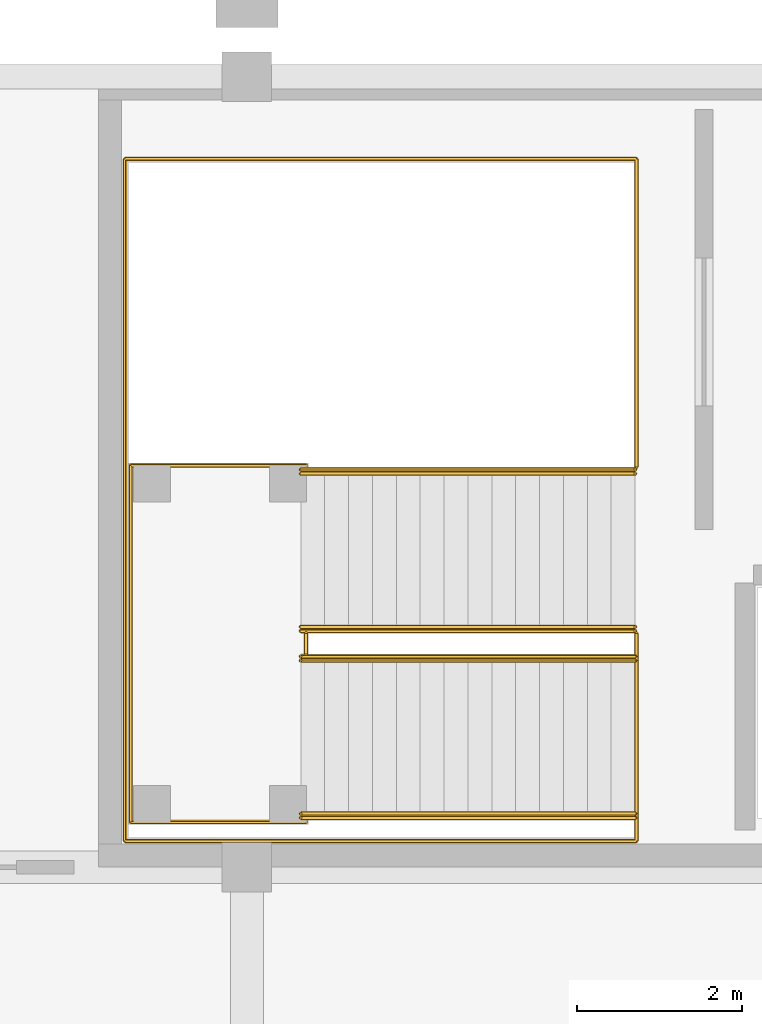
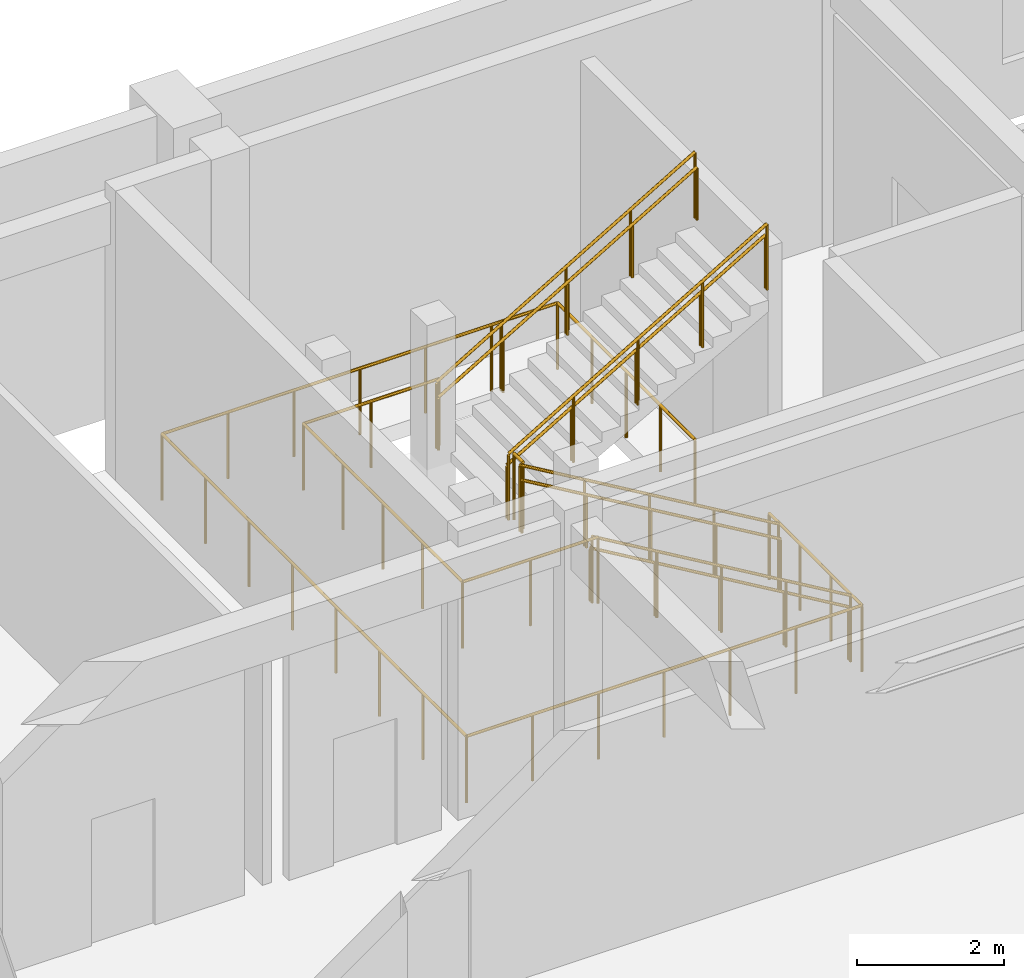
# One storey, part 69 of 74: 11 railings.
"""IFC4 building model written with IfcOpenShell, lengths in metres."""

import ifcopenshell
import ifcopenshell.guid

model = None  # the IFC model being written
_history = None  # IfcOwnerHistory: only IFC2X3 demands one
_inside = {}  # id of a spatial element -> (the spatial element, [elements in it])
_under = {}  # id of a project, library or spatial element -> (it, [spatial elements below it])
_declared = {}  # id of a project -> (the project, [libraries it declares])
_typed = {}  # id of a type object -> (the type object, [elements of that type])
_made_of = {}  # id of a material, layer set ... -> (it, [elements and type objects made of it])


def new_model(schema):
    """Start an empty IFC model of exactly this schema.

    Asked for "IFC4X3", IfcOpenShell would pick the latest addendum, in which some entities
    have other attributes; the version numbers below select the first issue.
    IFC2X3 requires an IfcOwnerHistory on every rooted entity: one is made here for all.
    """
    global model, _history
    if schema == "IFC4X3":
        model = ifcopenshell.file(schema_version=(4, 3, 0, 0))
    else:
        model = ifcopenshell.file(schema=schema)
    _inside.clear()
    _under.clear()
    _declared.clear()
    _typed.clear()
    _made_of.clear()
    _history = None
    if model.schema == "IFC2X3":
        org = make("IfcOrganization", Name="unknown")
        user = make(
            "IfcPersonAndOrganization",
            ThePerson=make("IfcPerson", FamilyName="unknown"),
            TheOrganization=org,
        )
        app = make(
            "IfcApplication",
            ApplicationDeveloper=org,
            Version="unknown",
            ApplicationFullName="unknown",
            ApplicationIdentifier="unknown",
        )
        _history = make(
            "IfcOwnerHistory",
            OwningUser=user,
            OwningApplication=app,
            ChangeAction="ADDED",
            CreationDate=0,
        )
    return model


def make(cls, **values):
    """One entity of the class cls with the attributes given. An attribute that is None is left unset."""
    return model.create_entity(
        cls, **{name: value for name, value in values.items() if value is not None}
    )


def rooted(cls, **values):
    """An entity with a GlobalId (a new one), such as an element, a storey or a relation."""
    return make(cls, GlobalId=ifcopenshell.guid.new(), OwnerHistory=_history, **values)


def si_unit(unit_type, name, prefix=None):
    """IfcSIUnit, for example si_unit("LENGTHUNIT", "METRE", prefix="MILLI")."""
    return make("IfcSIUnit", UnitType=unit_type, Prefix=prefix, Name=name)


def assignment(units):
    """IfcUnitAssignment: the units of a project."""
    return None if units is None else make("IfcUnitAssignment", Units=units)


def point(xyz):
    """IfcCartesianPoint."""
    return None if xyz is None else make("IfcCartesianPoint", Coordinates=xyz)


def direction(xyz):
    """IfcDirection."""
    return None if xyz is None else make("IfcDirection", DirectionRatios=xyz)


def frame(location, z_axis=None, x_axis=None):
    """IfcAxis2Placement3D, a coordinate frame: its origin and axes. An axis left out is left unset."""
    return make(
        "IfcAxis2Placement3D",
        Location=point(location),
        Axis=direction(z_axis),
        RefDirection=direction(x_axis),
    )


def frame_2d(location, x_axis=None):
    """IfcAxis2Placement2D, a coordinate frame in the plane: its origin and x axis."""
    return make(
        "IfcAxis2Placement2D", Location=point(location), RefDirection=direction(x_axis)
    )


def origin():
    """The frame at (0, 0, 0) with its axes left unset."""
    return frame((0.0, 0.0, 0.0))


def origin_2d():
    """The frame at (0, 0) in the plane with its x axis left unset."""
    return frame_2d((0.0, 0.0))


def place(relative_to, where):
    """IfcLocalPlacement: puts the frame where relative to a parent placement (None: the world)."""
    return make(
        "IfcLocalPlacement", PlacementRelTo=relative_to, RelativePlacement=where
    )


def context(
    kind, dimensions, precision=None, world=None, true_north=None, identifier=None
):
    """IfcGeometricRepresentationContext, for example the 3D "Model" context."""
    return make(
        "IfcGeometricRepresentationContext",
        ContextIdentifier=identifier,
        ContextType=kind,
        CoordinateSpaceDimension=dimensions,
        Precision=precision,
        WorldCoordinateSystem=world,
        TrueNorth=true_north,
    )


def subcontext(parent, identifier, kind, view, scale=None):
    """IfcGeometricRepresentationSubContext, for example "Body" below "Model"."""
    return make(
        "IfcGeometricRepresentationSubContext",
        ContextIdentifier=identifier,
        ContextType=kind,
        ParentContext=parent,
        TargetScale=scale,
        TargetView=view,
    )


def project(units=None, contexts=None):
    """IfcProject with its units and contexts."""
    return rooted(
        "IfcProject",
        Name="project",
        RepresentationContexts=contexts,
        UnitsInContext=assignment(units),
    )


def spatial(cls, under=None, at=None, **own):
    """A site, building, storey or space (cls), placed at a placement, below another one or the project."""
    s = rooted(cls, ObjectPlacement=at, **own)
    if under is not None:
        _under.setdefault(under.id(), (under, []))[1].append(s)
    return s


def profile(cls, at=None, kind="AREA", **sizes):
    """A parametric profile (cls). Its sizes go by their IFC names, for example OverallWidth=200.0."""
    return make(cls, ProfileType=kind, Position=at, **sizes)


def circle(**sizes):
    """IfcCircleProfileDef."""
    return profile("IfcCircleProfileDef", **sizes)


def extrude(swept, where, along, depth):
    """IfcExtrudedAreaSolid: the profile swept, set in the frame where, extruded along a direction by depth."""
    return make(
        "IfcExtrudedAreaSolid",
        SweptArea=swept,
        Position=where,
        ExtrudedDirection=direction(along),
        Depth=depth,
    )


def shape(context_of_items, identifier, shape_type, items):
    """IfcShapeRepresentation: the items that make up one representation, for example the "Body"."""
    return make(
        "IfcShapeRepresentation",
        ContextOfItems=context_of_items,
        RepresentationIdentifier=identifier,
        RepresentationType=shape_type,
        Items=items,
    )


def material(Name=None, Category=None):
    """IfcMaterial."""
    return make("IfcMaterial", Name=Name, Category=Category)


def made_of(thing, what):
    """Note that an element or type object is made of a material, layer set ...; save() writes the relation."""
    if what is not None:
        _made_of.setdefault(what.id(), (what, []))[1].append(thing)
    return thing


def type_object(cls, material=None, **own):
    """A type object (cls), such as IfcWallType, which elements share."""
    return made_of(rooted(cls, **own), material)


def element(
    cls,
    number,
    at=None,
    inside=None,
    cuts=None,
    type_object=None,
    material=None,
    context=None,
    identifier="Body",
    shape_type=None,
    held_by="IfcProductDefinitionShape",
    body=None,
    shapes=None,
    **own,
):
    """One element of the class cls, such as IfcWall. Its Tag is "e" and its number.

    at: its placement. inside: the storey or other place that contains it. cuts: it is an
    opening in that element (IfcRelVoidsElement). A single representation is given by context,
    identifier, shape_type and body (its items); several are given by shapes. held_by: the class
    of the entity that holds the representations. save() writes the other relations.
    """
    e = rooted(cls, Tag="e%d" % number, ObjectPlacement=at, **own)
    if body is not None:
        shapes = [shape(context, identifier, shape_type, body)]
    if shapes is not None:
        e.Representation = make(held_by, Representations=shapes)
    if inside is not None:
        _inside.setdefault(inside.id(), (inside, []))[1].append(e)
    if cuts is not None:
        rooted(
            "IfcRelVoidsElement", RelatingBuildingElement=cuts, RelatedOpeningElement=e
        )
    if type_object is not None:
        _typed.setdefault(type_object.id(), (type_object, []))[1].append(e)
    return made_of(e, material)


def aggregate(whole, parts):
    """IfcRelAggregates: a whole, such as a stair, and the parts it consists of."""
    return rooted("IfcRelAggregates", RelatingObject=whole, RelatedObjects=parts)


def save(model, path):
    """Write the relations noted so far, then the file.

    IfcRelAggregates (storeys below a building ...), IfcRelContainedInSpatialStructure (elements
    in a storey), IfcRelDefinesByType, IfcRelAssociatesMaterial and IfcRelDeclares: one each for
    every whole, place, type object, material and project.
    """
    for whole, parts in _under.values():
        aggregate(whole, parts)
    for where, things in _inside.values():
        rooted(
            "IfcRelContainedInSpatialStructure",
            RelatedElements=things,
            RelatingStructure=where,
        )
    for kind, things in _typed.values():
        rooted("IfcRelDefinesByType", RelatedObjects=things, RelatingType=kind)
    for what, things in _made_of.values():
        rooted("IfcRelAssociatesMaterial", RelatedObjects=things, RelatingMaterial=what)
    for by, libraries in _declared.values():
        rooted("IfcRelDeclares", RelatingContext=by, RelatedDefinitions=libraries)
    model.write(path)


model = new_model("IFC4")

# Units and contexts
model_context = context("Model", 3, precision=1e-05, world=origin(), true_north=direction((0.0, 1.0)))
body_context = subcontext(model_context, "Body", "Model", "MODEL_VIEW")
ifc_project = project(units=[si_unit("LENGTHUNIT", "METRE"), si_unit("AREAUNIT", "SQUARE_METRE"), si_unit("VOLUMEUNIT", "CUBIC_METRE"), si_unit("PLANEANGLEUNIT", "RADIAN"), si_unit("MASSUNIT", "GRAM", prefix="KILO")], contexts=[model_context])

# Site, building, storey
site_placement = place(None, origin())
site = spatial("IfcSite", under=ifc_project, at=site_placement, CompositionType="ELEMENT")
building_placement = place(site_placement, origin())
building = spatial("IfcBuilding", under=site, at=building_placement, Name="Suirenkawa Promenade Aquatics Centre", CompositionType="ELEMENT")
storey_placement = place(building_placement, frame((0.0, 0.0, 4.800048828125)))
storey = spatial("IfcBuildingStorey", under=building, at=storey_placement, Name="L01", CompositionType="ELEMENT", Elevation=4.800048828125)

# Railings
ifc_material = material(Name="Marine-grade stainless steel Grade 316L", Category="steel")
railing_type_1 = type_object("IfcRailingType", Name="RLT-GUARD-1120", PredefinedType="GUARDRAIL", material=ifc_material)
for number, where, name in (
    (1, (170.31494140625, 42.159912109375, 0.0), "Guardrail GRD-01 RL-0191"),
    (2, (170.31494140625, 40.199951171875, 0.0), "Guardrail GRD-01 RL-0193"),
):
    element("IfcRailing", number, at=place(storey_placement, frame(where)), inside=storey, type_object=railing_type_1, Name=name, PredefinedType="GUARDRAIL", context=body_context, shape_type="SweptSolid", body=[
        extrude(circle(Radius=0.02392578125, at=origin_2d()), frame((0.0, 0.0, 1.09619140625), z_axis=(-0.8608543813, 0.0, 0.508851387142), x_axis=(0.0, -1.0, 0.0)), (0.0, 0.0, 1.0), 4.71630859375),
        extrude(circle(Radius=0.02099609375, at=origin_2d()), origin(), (0.0, 0.0, 1.0), 1.072021484375),
        extrude(circle(Radius=0.02099609375, at=origin_2d()), frame((-1.01513671875, 0.0, 0.60009765625)), (0.0, 0.0, 1.0), 1.072021484375),
        extrude(circle(Radius=0.02099609375, at=origin_2d()), frame((-2.030029296875, 0.0, 1.199951171875)), (0.0, 0.0, 1.0), 1.072021484375),
        extrude(circle(Radius=0.02099609375, at=origin_2d()), frame((-3.044921875, 0.0, 1.7998046875)), (0.0, 0.0, 1.0), 1.072021484375),
        extrude(circle(Radius=0.02099609375, at=origin_2d()), frame((-4.06005859375, 0.0, 2.39990234375)), (0.0, 0.0, 1.0), 1.072021484375),
    ])
for number, where, name in (
    (3, (166.2548828125, 42.469970703125, 2.39990234375), "Guardrail GRD-01 RL-0195"),
    (4, (166.2548828125, 44.429931640625, 2.39990234375), "Guardrail GRD-01 RL-0197"),
):
    element("IfcRailing", number, at=place(storey_placement, frame(where)), inside=storey, type_object=railing_type_1, Name=name, PredefinedType="GUARDRAIL", context=body_context, shape_type="SweptSolid", body=[
        extrude(circle(Radius=0.02392578125, at=origin_2d()), frame((0.0, 0.0, 1.09619140625), z_axis=(0.860831705478, 0.0, 0.508889747237), x_axis=(0.0, 1.0, 0.0)), (0.0, 0.0, 1.0), 4.716552734375),
        extrude(circle(Radius=0.02099609375, at=origin_2d()), origin(), (0.0, 0.0, 1.0), 1.072021484375),
        extrude(circle(Radius=0.02099609375, at=origin_2d()), frame((1.01513671875, 0.0, 0.60009765625)), (0.0, 0.0, 1.0), 1.072021484375),
        extrude(circle(Radius=0.02099609375, at=origin_2d()), frame((2.030029296875, 0.0, 1.2001953125)), (0.0, 0.0, 1.0), 1.072021484375),
        extrude(circle(Radius=0.02099609375, at=origin_2d()), frame((3.044921875, 0.0, 1.800048828125)), (0.0, 0.0, 1.0), 1.072021484375),
        extrude(circle(Radius=0.02099609375, at=origin_2d()), frame((4.06005859375, 0.0, 2.400146484375)), (0.0, 0.0, 1.0), 1.072021484375),
    ])
railing_1_placement = place(storey_placement, frame((166.320068359375, 40.14990234375, 2.39990234375)))
element("IfcRailing", 5, at=railing_1_placement, inside=storey, type_object=railing_type_1, Name="Guardrail GRD-01 RL-0199", PredefinedType="GUARDRAIL", context=body_context, shape_type="SweptSolid", body=[
    extrude(circle(Radius=0.02392578125, at=origin_2d()), frame((0.0, 0.0, 1.09619140625), z_axis=(-1.0, 0.0, 0.0), x_axis=(0.0, -1.0, 0.0)), (0.0, 0.0, 1.0), 2.130126953125),
    extrude(circle(Radius=0.02392578125, at=origin_2d()), frame((-2.130126953125, 0.0, 1.09619140625), z_axis=(0.0, 1.0, 0.0), x_axis=(-1.0, 0.0, 0.0)), (0.0, 0.0, 1.0), 4.330078125),
    extrude(circle(Radius=0.02392578125, at=origin_2d()), frame((-2.130126953125, 4.330078125, 1.09619140625), z_axis=(1.0, 0.0, 0.0), x_axis=(0.0, 1.0, 0.0)), (0.0, 0.0, 1.0), 2.130126953125),
    extrude(circle(Radius=0.02099609375, at=origin_2d()), origin(), (0.0, 0.0, 1.0), 1.072021484375),
    extrude(circle(Radius=0.02099609375, at=origin_2d()), frame((-1.06494140625, 0.0, 0.0)), (0.0, 0.0, 1.0), 1.072021484375),
    extrude(circle(Radius=0.02099609375, at=origin_2d()), frame((-2.130126953125, 0.0, 0.0)), (0.0, 0.0, 1.0), 1.072021484375),
    extrude(circle(Radius=0.02099609375, at=origin_2d()), frame((-2.130126953125, 1.08251953125, 0.0)), (0.0, 0.0, 1.0), 1.072021484375),
    extrude(circle(Radius=0.02099609375, at=origin_2d()), frame((-2.130126953125, 2.1650390625, 0.0)), (0.0, 0.0, 1.0), 1.072021484375),
    extrude(circle(Radius=0.02099609375, at=origin_2d()), frame((-2.130126953125, 3.24755859375, 0.0)), (0.0, 0.0, 1.0), 1.072021484375),
    extrude(circle(Radius=0.02099609375, at=origin_2d()), frame((-2.130126953125, 4.330078125, 0.0)), (0.0, 0.0, 1.0), 1.072021484375),
    extrude(circle(Radius=0.02099609375, at=origin_2d()), frame((-1.06494140625, 4.330078125, 0.0)), (0.0, 0.0, 1.0), 1.072021484375),
    extrude(circle(Radius=0.02099609375, at=origin_2d()), frame((0.0, 4.330078125, 0.0)), (0.0, 0.0, 1.0), 1.072021484375),
])
railing_2_placement = place(storey_placement, frame((166.320068359375, 42.18994140625, 2.39990234375)))
element("IfcRailing", 6, at=railing_2_placement, inside=storey, type_object=railing_type_1, Name="Guardrail GRD-01 RL-0200", PredefinedType="GUARDRAIL", context=body_context, shape_type="SweptSolid", body=[
    extrude(circle(Radius=0.02392578125, at=origin_2d()), frame((0.0, 0.0, 1.09619140625), z_axis=(0.0, 1.0, 0.0), x_axis=(-1.0, 0.0, 0.0)), (0.0, 0.0, 1.0), 0.25),
    extrude(circle(Radius=0.02099609375, at=origin_2d()), origin(), (0.0, 0.0, 1.0), 1.072021484375),
    extrude(circle(Radius=0.02099609375, at=origin_2d()), frame((0.0, 0.25, 0.0)), (0.0, 0.0, 1.0), 1.072021484375),
])
railing_3_placement = place(storey_placement, frame((170.330078125, 44.4599609375, 0.0)))
element("IfcRailing", 7, at=railing_3_placement, inside=storey, type_object=railing_type_1, Name="Guardrail GRD-01 RL-0420", PredefinedType="GUARDRAIL", context=body_context, shape_type="SweptSolid", body=[
    extrude(circle(Radius=0.02392578125, at=origin_2d()), frame((0.0, 0.0, 1.09619140625), z_axis=(0.0, 1.0, 0.0), x_axis=(-1.0, 0.0, 0.0)), (0.0, 0.0, 1.0), 3.739990234375),
    extrude(circle(Radius=0.02392578125, at=origin_2d()), frame((0.0, 3.739990234375, 1.09619140625), z_axis=(-1.0, 0.0, 0.0), x_axis=(0.0, -1.0, 0.0)), (0.0, 0.0, 1.0), 6.2099609375),
    extrude(circle(Radius=0.02392578125, at=origin_2d()), frame((-6.2099609375, 3.739990234375, 1.09619140625), z_axis=(0.0, -1.0, 0.0), x_axis=(1.0, 0.0, 0.0)), (0.0, 0.0, 1.0), 8.280029296875),
    extrude(circle(Radius=0.02392578125, at=origin_2d()), frame((-6.2099609375, -4.5400390625, 1.09619140625), z_axis=(1.0, 0.0, 0.0), x_axis=(0.0, 1.0, 0.0)), (0.0, 0.0, 1.0), 6.2099609375),
    extrude(circle(Radius=0.02392578125, at=origin_2d()), frame((0.0, -4.5400390625, 1.09619140625), z_axis=(0.0, 1.0, 0.0), x_axis=(-1.0, 0.0, 0.0)), (0.0, 0.0, 1.0), 2.52001953125),
    extrude(circle(Radius=0.02099609375, at=origin_2d()), origin(), (0.0, 0.0, 1.0), 1.072021484375),
    extrude(circle(Radius=0.02099609375, at=origin_2d()), frame((0.0, 0.93505859375, 0.0)), (0.0, 0.0, 1.0), 1.072021484375),
    extrude(circle(Radius=0.02099609375, at=origin_2d()), frame((0.0, 1.8701171875, 0.0)), (0.0, 0.0, 1.0), 1.072021484375),
    extrude(circle(Radius=0.02099609375, at=origin_2d()), frame((0.0, 2.804931640625, 0.0)), (0.0, 0.0, 1.0), 1.072021484375),
    extrude(circle(Radius=0.02099609375, at=origin_2d()), frame((0.0, 3.739990234375, 0.0)), (0.0, 0.0, 1.0), 1.072021484375),
    extrude(circle(Radius=0.02099609375, at=origin_2d()), frame((-1.034912109375, 3.739990234375, 0.0)), (0.0, 0.0, 1.0), 1.072021484375),
    extrude(circle(Radius=0.02099609375, at=origin_2d()), frame((-2.070068359375, 3.739990234375, 0.0)), (0.0, 0.0, 1.0), 1.072021484375),
    extrude(circle(Radius=0.02099609375, at=origin_2d()), frame((-3.10498046875, 3.739990234375, 0.0)), (0.0, 0.0, 1.0), 1.072021484375),
    extrude(circle(Radius=0.02099609375, at=origin_2d()), frame((-4.139892578125, 3.739990234375, 0.0)), (0.0, 0.0, 1.0), 1.072021484375),
    extrude(circle(Radius=0.02099609375, at=origin_2d()), frame((-5.175048828125, 3.739990234375, 0.0)), (0.0, 0.0, 1.0), 1.072021484375),
    extrude(circle(Radius=0.02099609375, at=origin_2d()), frame((-6.2099609375, 3.739990234375, 0.0)), (0.0, 0.0, 1.0), 1.072021484375),
    extrude(circle(Radius=0.02099609375, at=origin_2d()), frame((-6.2099609375, 2.55712890625, 0.0)), (0.0, 0.0, 1.0), 1.072021484375),
    extrude(circle(Radius=0.02099609375, at=origin_2d()), frame((-6.2099609375, 1.374267578125, 0.0)), (0.0, 0.0, 1.0), 1.072021484375),
    extrude(circle(Radius=0.02099609375, at=origin_2d()), frame((-6.2099609375, 0.19140625, 0.0)), (0.0, 0.0, 1.0), 1.072021484375),
    extrude(circle(Radius=0.02099609375, at=origin_2d()), frame((-6.2099609375, -0.991455078125, 0.0)), (0.0, 0.0, 1.0), 1.072021484375),
    extrude(circle(Radius=0.02099609375, at=origin_2d()), frame((-6.2099609375, -2.17431640625, 0.0)), (0.0, 0.0, 1.0), 1.072021484375),
    extrude(circle(Radius=0.02099609375, at=origin_2d()), frame((-6.2099609375, -3.357177734375, 0.0)), (0.0, 0.0, 1.0), 1.072021484375),
    extrude(circle(Radius=0.02099609375, at=origin_2d()), frame((-6.2099609375, -4.5400390625, 0.0)), (0.0, 0.0, 1.0), 1.072021484375),
    extrude(circle(Radius=0.02099609375, at=origin_2d()), frame((-5.175048828125, -4.5400390625, 0.0)), (0.0, 0.0, 1.0), 1.072021484375),
    extrude(circle(Radius=0.02099609375, at=origin_2d()), frame((-4.139892578125, -4.5400390625, 0.0)), (0.0, 0.0, 1.0), 1.072021484375),
    extrude(circle(Radius=0.02099609375, at=origin_2d()), frame((-3.10498046875, -4.5400390625, 0.0)), (0.0, 0.0, 1.0), 1.072021484375),
    extrude(circle(Radius=0.02099609375, at=origin_2d()), frame((-2.070068359375, -4.5400390625, 0.0)), (0.0, 0.0, 1.0), 1.072021484375),
    extrude(circle(Radius=0.02099609375, at=origin_2d()), frame((-1.034912109375, -4.5400390625, 0.0)), (0.0, 0.0, 1.0), 1.072021484375),
    extrude(circle(Radius=0.02099609375, at=origin_2d()), frame((0.0, -4.5400390625, 0.0)), (0.0, 0.0, 1.0), 1.072021484375),
    extrude(circle(Radius=0.02099609375, at=origin_2d()), frame((0.0, -3.699951171875, 0.0)), (0.0, 0.0, 1.0), 1.072021484375),
    extrude(circle(Radius=0.02099609375, at=origin_2d()), frame((0.0, -2.860107421875, 0.0)), (0.0, 0.0, 1.0), 1.072021484375),
    extrude(circle(Radius=0.02099609375, at=origin_2d()), frame((0.0, -2.02001953125, 0.0)), (0.0, 0.0, 1.0), 1.072021484375),
])
railing_type_2 = type_object("IfcRailingType", Name="RLT-HANDRAIL-900", PredefinedType="HANDRAIL", material=ifc_material)
for number, where, name in (
    (8, (170.31494140625, 42.110107421875, 0.0), "Handrail HRL-01 RL-0192"),
    (9, (170.31494140625, 40.25, 0.0), "Handrail HRL-01 RL-0194"),
):
    element("IfcRailing", number, at=place(storey_placement, frame(where)), inside=storey, type_object=railing_type_2, Name=name, PredefinedType="HANDRAIL", context=body_context, shape_type="SweptSolid", body=[
        extrude(circle(Radius=0.02392578125, at=origin_2d()), frame((0.0, 0.0, 0.8759765625), z_axis=(-0.8608543813, 0.0, 0.508851387142), x_axis=(0.0, -1.0, 0.0)), (0.0, 0.0, 1.0), 4.71630859375),
        extrude(circle(Radius=0.02099609375, at=origin_2d()), origin(), (0.0, 0.0, 1.0), 0.851806640625),
        extrude(circle(Radius=0.02099609375, at=origin_2d()), frame((-1.01513671875, 0.0, 0.60009765625)), (0.0, 0.0, 1.0), 0.851806640625),
        extrude(circle(Radius=0.02099609375, at=origin_2d()), frame((-2.030029296875, 0.0, 1.199951171875)), (0.0, 0.0, 1.0), 0.851806640625),
        extrude(circle(Radius=0.02099609375, at=origin_2d()), frame((-3.044921875, 0.0, 1.7998046875)), (0.0, 0.0, 1.0), 0.851806640625),
        extrude(circle(Radius=0.02099609375, at=origin_2d()), frame((-4.06005859375, 0.0, 2.39990234375)), (0.0, 0.0, 1.0), 0.851806640625),
    ])
for number, where, name in (
    (10, (166.2548828125, 42.52001953125, 2.39990234375), "Handrail HRL-01 RL-0196"),
    (11, (166.2548828125, 44.3798828125, 2.39990234375), "Handrail HRL-01 RL-0198"),
):
    element("IfcRailing", number, at=place(storey_placement, frame(where)), inside=storey, type_object=railing_type_2, Name=name, PredefinedType="HANDRAIL", context=body_context, shape_type="SweptSolid", body=[
        extrude(circle(Radius=0.02392578125, at=origin_2d()), frame((0.0, 0.0, 0.8759765625), z_axis=(0.860831705478, 0.0, 0.508889747237), x_axis=(0.0, 1.0, 0.0)), (0.0, 0.0, 1.0), 4.716552734375),
        extrude(circle(Radius=0.02099609375, at=origin_2d()), origin(), (0.0, 0.0, 1.0), 0.851806640625),
        extrude(circle(Radius=0.02099609375, at=origin_2d()), frame((1.01513671875, 0.0, 0.60009765625)), (0.0, 0.0, 1.0), 0.851806640625),
        extrude(circle(Radius=0.02099609375, at=origin_2d()), frame((2.030029296875, 0.0, 1.2001953125)), (0.0, 0.0, 1.0), 0.851806640625),
        extrude(circle(Radius=0.02099609375, at=origin_2d()), frame((3.044921875, 0.0, 1.800048828125)), (0.0, 0.0, 1.0), 0.851806640625),
        extrude(circle(Radius=0.02099609375, at=origin_2d()), frame((4.06005859375, 0.0, 2.400146484375)), (0.0, 0.0, 1.0), 0.851806640625),
    ])

save(model, "model.ifc")
